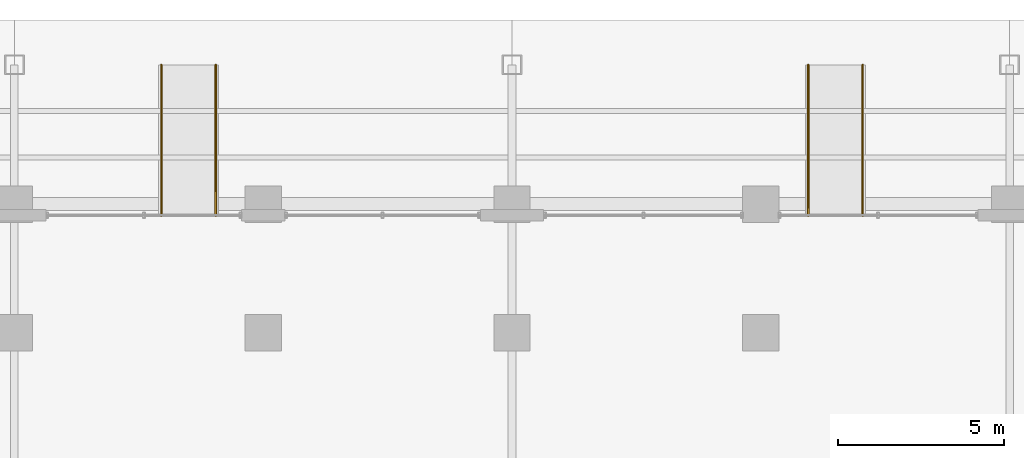
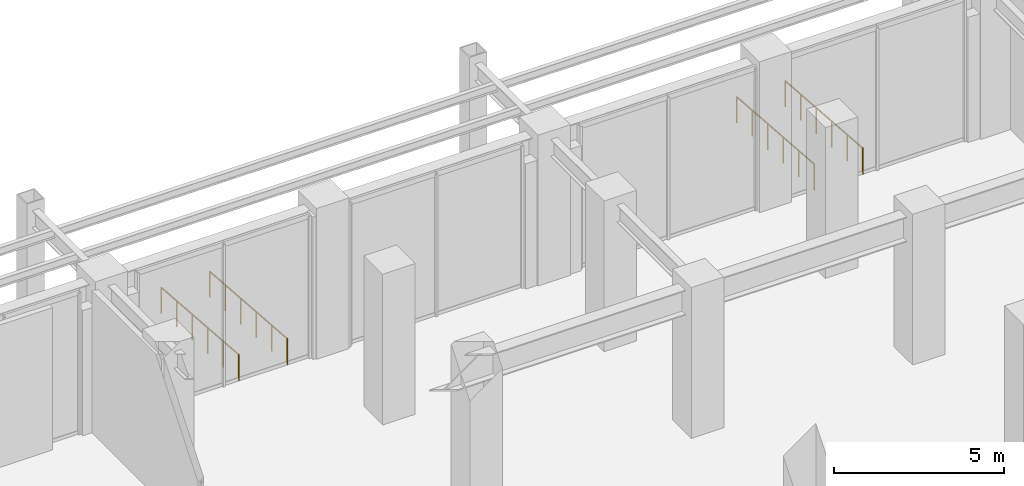
# One storey, part 22 of 23: 4 railings.
"""IFC4 building model written with IfcOpenShell, lengths in metres."""

from ifc_helpers import new_model, si_unit, direction, frame, origin, origin_2d, place, context, subcontext, project, spatial, circle, extrude, material, type_object, element, save


model = new_model("IFC4")

# Units and contexts
model_context = context("Model", 3, precision=1e-05, world=origin(), true_north=direction((0.0, 1.0)))
body_context = subcontext(model_context, "Body", "Model", "MODEL_VIEW")
ifc_project = project(units=[si_unit("LENGTHUNIT", "METRE"), si_unit("AREAUNIT", "SQUARE_METRE"), si_unit("VOLUMEUNIT", "CUBIC_METRE"), si_unit("PLANEANGLEUNIT", "RADIAN"), si_unit("MASSUNIT", "GRAM", prefix="KILO")], contexts=[model_context])

# Site, building, storey
site_placement = place(None, origin())
site = spatial("IfcSite", under=ifc_project, at=site_placement, CompositionType="ELEMENT")
building_placement = place(site_placement, origin())
building = spatial("IfcBuilding", under=site, at=building_placement, Name="Ventersveld Concourse Tower", CompositionType="ELEMENT")
storey_placement = place(building_placement, origin())
storey = spatial("IfcBuildingStorey", under=building, at=storey_placement, Name="L00", CompositionType="ELEMENT", Elevation=0.0)

# Railings
ifc_material = material(Name="Brushed stainless steel 316", Category="steel")
railing_type = type_object("IfcRailingType", Name="HR-RMP-095", PredefinedType="HANDRAIL", material=ifc_material)
for number, where, name in (
    (1, (18.179931640625, 48.199951171875, -0.35009765625), "L00 Accessible Ramp Handrail W"),
    (2, (19.820068359375, 48.199951171875, -0.35009765625), "L00 Accessible Ramp Handrail E"),
    (3, (37.679931640625, 48.199951171875, -0.35009765625), "L00 Accessible Ramp Handrail W"),
    (4, (39.320068359375, 48.199951171875, -0.35009765625), "L00 Accessible Ramp Handrail E"),
):
    element("IfcRailing", number, at=place(storey_placement, frame(where)), inside=storey, type_object=railing_type, Name=name, PredefinedType="HANDRAIL", context=body_context, shape_type="SweptSolid", body=[
        extrude(circle(Radius=0.02392578125, at=origin_2d()), frame((0.0, 0.0, 0.92578125), z_axis=(0.0, -0.997052911804, 0.076716954205), x_axis=(1.0, 0.0, 0.0)), (0.0, 0.0, 1.0), 4.5634765625),
        extrude(circle(Radius=0.02099609375, at=origin_2d()), origin(), (0.0, 0.0, 1.0), 0.90185546875),
        extrude(circle(Radius=0.02099609375, at=origin_2d()), frame((0.0, -0.909912109375, 0.070068359375)), (0.0, 0.0, 1.0), 0.90185546875),
        extrude(circle(Radius=0.02099609375, at=origin_2d()), frame((0.0, -1.820068359375, 0.14013671875)), (0.0, 0.0, 1.0), 0.90185546875),
        extrude(circle(Radius=0.02099609375, at=origin_2d()), frame((0.0, -2.72998046875, 0.2099609375)), (0.0, 0.0, 1.0), 0.90185546875),
        extrude(circle(Radius=0.02099609375, at=origin_2d()), frame((0.0, -3.64013671875, 0.280029296875)), (0.0, 0.0, 1.0), 0.90185546875),
        extrude(circle(Radius=0.02099609375, at=origin_2d()), frame((0.0, -4.550048828125, 0.35009765625)), (0.0, 0.0, 1.0), 0.90185546875),
    ])

save(model, "model.ifc")
